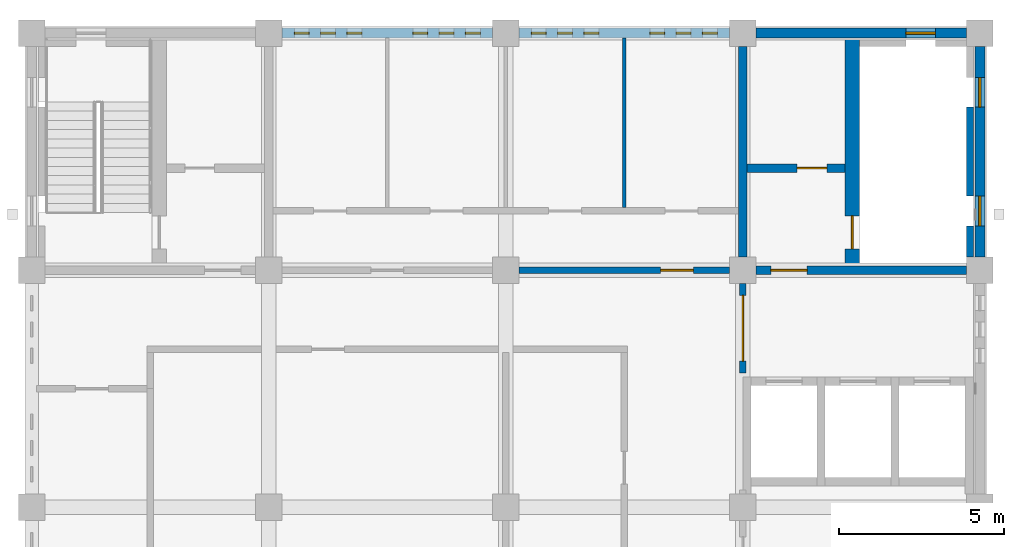
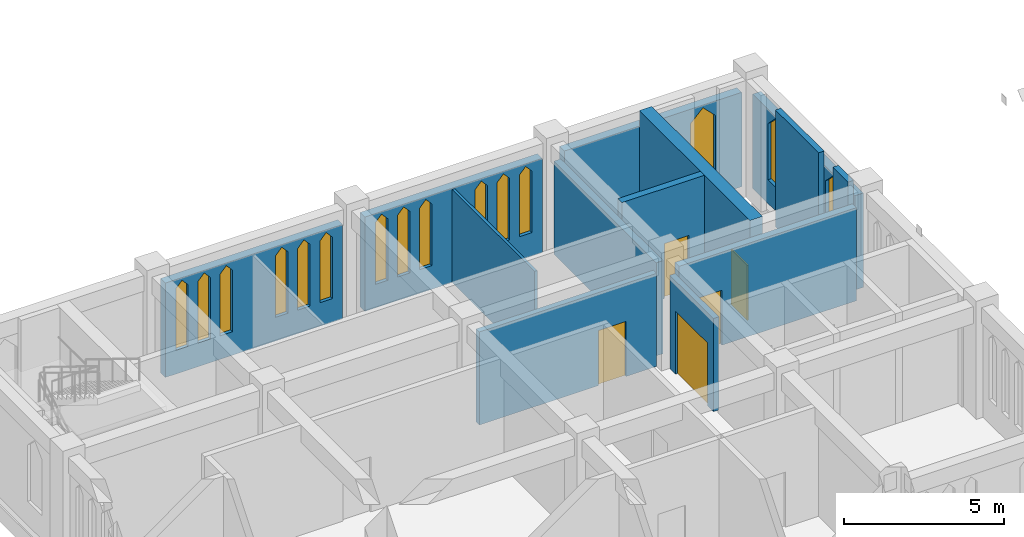
# One storey, part 9 of 13: 15 windows, 13 walls, 5 doors, 20 openings.
"""IFC4 building model written with IfcOpenShell, lengths in metres."""

from ifc_helpers import new_model, si_unit, direction, frame, frame_2d, origin, place, context, subcontext, project, spatial, polyline, rectangle, outline, extrude, material, layer, layer_set, type_object, element, fill, save


model = new_model("IFC4")

# Units and contexts
model_context = context("Model", 3, precision=1e-05, world=origin(), true_north=direction((0.0, 1.0)))
body_context = subcontext(model_context, "Body", "Model", "MODEL_VIEW")
ifc_project = project(units=[si_unit("LENGTHUNIT", "METRE"), si_unit("AREAUNIT", "SQUARE_METRE"), si_unit("VOLUMEUNIT", "CUBIC_METRE"), si_unit("PLANEANGLEUNIT", "RADIAN"), si_unit("MASSUNIT", "GRAM", prefix="KILO")], contexts=[model_context])

# Site, building, storey
site_placement = place(None, origin())
site = spatial("IfcSite", under=ifc_project, at=site_placement, CompositionType="ELEMENT")
building_placement = place(site_placement, origin())
building = spatial("IfcBuilding", under=site, at=building_placement, Name="Silangan Lancet Faculty of Sciences", CompositionType="ELEMENT")
storey_placement = place(building_placement, frame((0.0, 0.0, 49.800048828125)))
storey = spatial("IfcBuildingStorey", under=building, at=storey_placement, Name="L10", CompositionType="ELEMENT", Elevation=49.800048828125)

# Wall, opening, window
ifc_material_1 = material(Name="Concrete C40/50 precast", Category="concrete")
ifc_layer_1 = layer(ifc_material_1, 0.300048828125)
ifc_layer_set_1 = layer_set([ifc_layer_1], Name="Concrete C40/50 precast")
wall_type_1 = type_object("IfcWallType", Name="EW2 Turret enclosure wall", PredefinedType="STANDARD", material=ifc_layer_set_1)
wall_1_placement = place(storey_placement, frame((28.39990234375, 57.60009765625, 0.0), z_axis=(0.0, 0.0, 1.0), x_axis=(-1.0, 0.0, 0.0)))
wall_1 = element("IfcWall", 1, at=wall_1_placement, inside=storey, type_object=wall_type_1, Name="EW-L10-N-NT-00", PredefinedType="STANDARD", context=body_context, shape_type="SweptSolid", body=[
    extrude(rectangle(XDim=6.39990234375, YDim=0.300048828125, at=frame_2d((3.199951171875, 0.0))), origin(), (0.0, 0.0, 1.0), 3.599853515625),
])
opening_1_placement = place(wall_1_placement, frame((0.949951171875, 0.0, 0.89990234375)))
opening_1 = element("IfcOpeningElement", 2, at=opening_1_placement, cuts=wall_1, Name="Opening W25", PredefinedType="OPENING", context=body_context, shape_type="SweptSolid", body=[
    extrude(outline(polyline([(0.0, 0.0), (0.89990234375, 0.0), (0.89990234375, 2.150146484375), (0.449951171875, 2.60009765625), (0.0, 2.150146484375), (0.0, 0.0)])), frame((0.0, 0.159912109375, 0.0), z_axis=(0.0, -1.0, 0.0), x_axis=(1.0, 0.0, 0.0)), (0.0, 0.0, 1.0), 0.320068359375),
])
ifc_material_2 = material(Name="Aluminium frame, laminated double glazing", Category="aluminium")
window_type_1 = type_object("IfcWindowType", Name="W25 Lancet window 900 x 2600", PartitioningType="SINGLE_PANEL", PredefinedType="WINDOW", material=ifc_material_2)
window_1_placement = place(opening_1_placement, origin())
window_1 = element("IfcWindow", 3, at=window_1_placement, inside=storey, type_object=window_type_1, Name="WIN-L10-N-NT-00a", OverallHeight=2.60009765625, OverallWidth=0.89990234375, PartitioningType="SINGLE_PANEL", PredefinedType="WINDOW", context=body_context, shape_type="SweptSolid", body=[
    extrude(outline(polyline([(0.0, 0.0), (0.89990234375, 0.0), (0.89990234375, 2.150146484375), (0.449951171875, 2.60009765625), (0.0, 2.150146484375), (0.0, 0.0)])), frame((0.0, 0.030029296875, 0.0), z_axis=(0.0, -1.0, 0.0), x_axis=(1.0, 0.0, 0.0)), (0.0, 0.0, 1.0), 0.06005859375),
])
fill(opening_1, window_1)

# Wall, openings, windows
wall_2_placement = place(storey_placement, frame((28.800048828125, 50.800048828125, 0.0), z_axis=(0.0, 0.0, 1.0), x_axis=(0.0, 1.0, 0.0)))
wall_2 = element("IfcWall", 4, at=wall_2_placement, inside=storey, type_object=wall_type_1, Name="EW-L10-E-NT-02", PredefinedType="STANDARD", context=body_context, shape_type="SweptSolid", body=[
    extrude(rectangle(XDim=6.39990234375, YDim=0.300048828125, at=frame_2d((3.199951171875, 0.0))), origin(), (0.0, 0.0, 1.0), 3.599853515625),
])
opening_2_placement = place(wall_2_placement, frame((0.949951171875, 0.0, 0.89990234375)))
opening_2 = element("IfcOpeningElement", 5, at=opening_2_placement, cuts=wall_2, Name="Opening W25", PredefinedType="OPENING", context=body_context, shape_type="SweptSolid", body=[
    extrude(outline(polyline([(0.0, 0.0), (0.89990234375, 0.0), (0.89990234375, 2.150146484375), (0.449951171875, 2.60009765625), (0.0, 2.150146484375), (0.0, 0.0)])), frame((0.0, 0.159912109375, 0.0), z_axis=(0.0, -1.0, 0.0), x_axis=(1.0, 0.0, 0.0)), (0.0, 0.0, 1.0), 0.320068359375),
])
opening_3_placement = place(wall_2_placement, frame((4.550048828125, 0.0, 0.89990234375)))
opening_3 = element("IfcOpeningElement", 6, at=opening_3_placement, cuts=wall_2, Name="Opening W25", PredefinedType="OPENING", context=body_context, shape_type="SweptSolid", body=[
    extrude(outline(polyline([(0.0, 0.0), (0.89990234375, 0.0), (0.89990234375, 2.150146484375), (0.449951171875, 2.60009765625), (0.0, 2.150146484375), (0.0, 0.0)])), frame((0.0, 0.159912109375, 0.0), z_axis=(0.0, -1.0, 0.0), x_axis=(1.0, 0.0, 0.0)), (0.0, 0.0, 1.0), 0.320068359375),
])
window_2_placement = place(opening_2_placement, origin())
window_2 = element("IfcWindow", 7, at=window_2_placement, inside=storey, type_object=window_type_1, Name="WIN-L10-E-NT-02a", OverallHeight=2.60009765625, OverallWidth=0.89990234375, PartitioningType="SINGLE_PANEL", PredefinedType="WINDOW", context=body_context, shape_type="SweptSolid", body=[
    extrude(outline(polyline([(0.0, 0.0), (0.89990234375, 0.0), (0.89990234375, 2.150146484375), (0.449951171875, 2.60009765625), (0.0, 2.150146484375), (0.0, 0.0)])), frame((0.0, 0.030029296875, 0.0), z_axis=(0.0, -1.0, 0.0), x_axis=(1.0, 0.0, 0.0)), (0.0, 0.0, 1.0), 0.06005859375),
])
fill(opening_2, window_2)
window_3_placement = place(opening_3_placement, origin())
window_3 = element("IfcWindow", 8, at=window_3_placement, inside=storey, type_object=window_type_1, Name="WIN-L10-E-NT-02b", OverallHeight=2.60009765625, OverallWidth=0.89990234375, PartitioningType="SINGLE_PANEL", PredefinedType="WINDOW", context=body_context, shape_type="SweptSolid", body=[
    extrude(outline(polyline([(0.0, 0.0), (0.89990234375, 0.0), (0.89990234375, 2.150146484375), (0.449951171875, 2.60009765625), (0.0, 2.150146484375), (0.0, 0.0)])), frame((0.0, 0.030029296875, 0.0), z_axis=(0.0, -1.0, 0.0), x_axis=(1.0, 0.0, 0.0)), (0.0, 0.0, 1.0), 0.06005859375),
])
fill(opening_3, window_3)

ifc_material_3 = material(Name="Concrete C40/50", Category="concrete")
ifc_layer_2 = layer(ifc_material_3, 0.300048828125)
ifc_layer_set_2 = layer_set([ifc_layer_2], Name="Concrete C40/50")
wall_type_2 = type_object("IfcWallType", Name="EW7 Rendered attic wall", PredefinedType="STANDARD", material=ifc_layer_set_2)
wall_3_placement = place(storey_placement, frame((21.199951171875, 57.60009765625, 0.0), z_axis=(0.0, 0.0, 1.0), x_axis=(-1.0, 0.0, 0.0)))
wall_3 = element("IfcWall", 9, at=wall_3_placement, inside=storey, type_object=wall_type_2, Name="EW-L10-N-NT-01", PredefinedType="STANDARD", context=body_context, shape_type="SweptSolid", body=[
    extrude(rectangle(XDim=6.39990234375, YDim=0.300048828125, at=frame_2d((3.199951171875, 0.0))), origin(), (0.0, 0.0, 1.0), 3.599853515625),
])
opening_4_placement = place(wall_3_placement, frame((0.375, 0.0, 0.89990234375)))
opening_4 = element("IfcOpeningElement", 10, at=opening_4_placement, cuts=wall_3, Name="Opening W24", PredefinedType="OPENING", context=body_context, shape_type="SweptSolid", body=[
    extrude(outline(polyline([(0.0, 0.0), (0.449951171875, 0.0), (0.449951171875, 2.35009765625), (0.22509765625, 2.60009765625), (0.0, 2.35009765625), (0.0, 0.0)])), frame((0.0, 0.159912109375, 0.0), z_axis=(0.0, -1.0, 0.0), x_axis=(1.0, 0.0, 0.0)), (0.0, 0.0, 1.0), 0.320068359375),
])
opening_5_placement = place(wall_3_placement, frame((1.175048828125, 0.0, 0.89990234375)))
opening_5 = element("IfcOpeningElement", 11, at=opening_5_placement, cuts=wall_3, Name="Opening W24", PredefinedType="OPENING", context=body_context, shape_type="SweptSolid", body=[
    extrude(outline(polyline([(0.0, 0.0), (0.449951171875, 0.0), (0.449951171875, 2.35009765625), (0.22509765625, 2.60009765625), (0.0, 2.35009765625), (0.0, 0.0)])), frame((0.0, 0.159912109375, 0.0), z_axis=(0.0, -1.0, 0.0), x_axis=(1.0, 0.0, 0.0)), (0.0, 0.0, 1.0), 0.320068359375),
])
opening_6_placement = place(wall_3_placement, frame((1.97509765625, 0.0, 0.89990234375)))
opening_6 = element("IfcOpeningElement", 12, at=opening_6_placement, cuts=wall_3, Name="Opening W24", PredefinedType="OPENING", context=body_context, shape_type="SweptSolid", body=[
    extrude(outline(polyline([(0.0, 0.0), (0.449951171875, 0.0), (0.449951171875, 2.35009765625), (0.22509765625, 2.60009765625), (0.0, 2.35009765625), (0.0, 0.0)])), frame((0.0, 0.159912109375, 0.0), z_axis=(0.0, -1.0, 0.0), x_axis=(1.0, 0.0, 0.0)), (0.0, 0.0, 1.0), 0.320068359375),
])
opening_7_placement = place(wall_3_placement, frame((3.97509765625, 0.0, 0.89990234375)))
opening_7 = element("IfcOpeningElement", 13, at=opening_7_placement, cuts=wall_3, Name="Opening W24", PredefinedType="OPENING", context=body_context, shape_type="SweptSolid", body=[
    extrude(outline(polyline([(0.0, 0.0), (0.449951171875, 0.0), (0.449951171875, 2.35009765625), (0.22509765625, 2.60009765625), (0.0, 2.35009765625), (0.0, 0.0)])), frame((0.0, 0.159912109375, 0.0), z_axis=(0.0, -1.0, 0.0), x_axis=(1.0, 0.0, 0.0)), (0.0, 0.0, 1.0), 0.320068359375),
])
opening_8_placement = place(wall_3_placement, frame((4.77490234375, 0.0, 0.89990234375)))
opening_8 = element("IfcOpeningElement", 14, at=opening_8_placement, cuts=wall_3, Name="Opening W24", PredefinedType="OPENING", context=body_context, shape_type="SweptSolid", body=[
    extrude(outline(polyline([(0.0, 0.0), (0.449951171875, 0.0), (0.449951171875, 2.35009765625), (0.22509765625, 2.60009765625), (0.0, 2.35009765625), (0.0, 0.0)])), frame((0.0, 0.159912109375, 0.0), z_axis=(0.0, -1.0, 0.0), x_axis=(1.0, 0.0, 0.0)), (0.0, 0.0, 1.0), 0.320068359375),
])
opening_9_placement = place(wall_3_placement, frame((5.574951171875, 0.0, 0.89990234375)))
opening_9 = element("IfcOpeningElement", 15, at=opening_9_placement, cuts=wall_3, Name="Opening W24", PredefinedType="OPENING", context=body_context, shape_type="SweptSolid", body=[
    extrude(outline(polyline([(0.0, 0.0), (0.449951171875, 0.0), (0.449951171875, 2.35009765625), (0.22509765625, 2.60009765625), (0.0, 2.35009765625), (0.0, 0.0)])), frame((0.0, 0.159912109375, 0.0), z_axis=(0.0, -1.0, 0.0), x_axis=(1.0, 0.0, 0.0)), (0.0, 0.0, 1.0), 0.320068359375),
])
ifc_material_4 = material(Name="Aluminium frame, laminated double glazing", Category="aluminium")
window_type_2 = type_object("IfcWindowType", Name="W24 Lancet window 450 x 2600", PartitioningType="SINGLE_PANEL", PredefinedType="WINDOW", material=ifc_material_4)
window_4_placement = place(opening_4_placement, origin())
window_4 = element("IfcWindow", 16, at=window_4_placement, inside=storey, type_object=window_type_2, Name="WIN-L10-N-NT-01a1", OverallHeight=2.60009765625, OverallWidth=0.449951171875, PartitioningType="SINGLE_PANEL", PredefinedType="WINDOW", context=body_context, shape_type="SweptSolid", body=[
    extrude(outline(polyline([(0.0, 0.0), (0.449951171875, 0.0), (0.449951171875, 2.35009765625), (0.22509765625, 2.60009765625), (0.0, 2.35009765625), (0.0, 0.0)])), frame((0.0, 0.030029296875, 0.0), z_axis=(0.0, -1.0, 0.0), x_axis=(1.0, 0.0, 0.0)), (0.0, 0.0, 1.0), 0.06005859375),
])
fill(opening_4, window_4)
window_5_placement = place(opening_5_placement, origin())
window_5 = element("IfcWindow", 17, at=window_5_placement, inside=storey, type_object=window_type_2, Name="WIN-L10-N-NT-01a2", OverallHeight=2.60009765625, OverallWidth=0.449951171875, PartitioningType="SINGLE_PANEL", PredefinedType="WINDOW", context=body_context, shape_type="SweptSolid", body=[
    extrude(outline(polyline([(0.0, 0.0), (0.449951171875, 0.0), (0.449951171875, 2.35009765625), (0.22509765625, 2.60009765625), (0.0, 2.35009765625), (0.0, 0.0)])), frame((0.0, 0.030029296875, 0.0), z_axis=(0.0, -1.0, 0.0), x_axis=(1.0, 0.0, 0.0)), (0.0, 0.0, 1.0), 0.06005859375),
])
fill(opening_5, window_5)
window_6_placement = place(opening_6_placement, origin())
window_6 = element("IfcWindow", 18, at=window_6_placement, inside=storey, type_object=window_type_2, Name="WIN-L10-N-NT-01a3", OverallHeight=2.60009765625, OverallWidth=0.449951171875, PartitioningType="SINGLE_PANEL", PredefinedType="WINDOW", context=body_context, shape_type="SweptSolid", body=[
    extrude(outline(polyline([(0.0, 0.0), (0.449951171875, 0.0), (0.449951171875, 2.35009765625), (0.22509765625, 2.60009765625), (0.0, 2.35009765625), (0.0, 0.0)])), frame((0.0, 0.030029296875, 0.0), z_axis=(0.0, -1.0, 0.0), x_axis=(1.0, 0.0, 0.0)), (0.0, 0.0, 1.0), 0.06005859375),
])
fill(opening_6, window_6)
window_7_placement = place(opening_7_placement, origin())
window_7 = element("IfcWindow", 19, at=window_7_placement, inside=storey, type_object=window_type_2, Name="WIN-L10-N-NT-01b1", OverallHeight=2.60009765625, OverallWidth=0.449951171875, PartitioningType="SINGLE_PANEL", PredefinedType="WINDOW", context=body_context, shape_type="SweptSolid", body=[
    extrude(outline(polyline([(0.0, 0.0), (0.449951171875, 0.0), (0.449951171875, 2.35009765625), (0.22509765625, 2.60009765625), (0.0, 2.35009765625), (0.0, 0.0)])), frame((0.0, 0.030029296875, 0.0), z_axis=(0.0, -1.0, 0.0), x_axis=(1.0, 0.0, 0.0)), (0.0, 0.0, 1.0), 0.06005859375),
])
fill(opening_7, window_7)
window_8_placement = place(opening_8_placement, origin())
window_8 = element("IfcWindow", 20, at=window_8_placement, inside=storey, type_object=window_type_2, Name="WIN-L10-N-NT-01b2", OverallHeight=2.60009765625, OverallWidth=0.449951171875, PartitioningType="SINGLE_PANEL", PredefinedType="WINDOW", context=body_context, shape_type="SweptSolid", body=[
    extrude(outline(polyline([(0.0, 0.0), (0.449951171875, 0.0), (0.449951171875, 2.35009765625), (0.22509765625, 2.60009765625), (0.0, 2.35009765625), (0.0, 0.0)])), frame((0.0, 0.030029296875, 0.0), z_axis=(0.0, -1.0, 0.0), x_axis=(1.0, 0.0, 0.0)), (0.0, 0.0, 1.0), 0.06005859375),
])
fill(opening_8, window_8)
window_9_placement = place(opening_9_placement, origin())
window_9 = element("IfcWindow", 21, at=window_9_placement, inside=storey, type_object=window_type_2, Name="WIN-L10-N-NT-01b3", OverallHeight=2.60009765625, OverallWidth=0.449951171875, PartitioningType="SINGLE_PANEL", PredefinedType="WINDOW", context=body_context, shape_type="SweptSolid", body=[
    extrude(outline(polyline([(0.0, 0.0), (0.449951171875, 0.0), (0.449951171875, 2.35009765625), (0.22509765625, 2.60009765625), (0.0, 2.35009765625), (0.0, 0.0)])), frame((0.0, 0.030029296875, 0.0), z_axis=(0.0, -1.0, 0.0), x_axis=(1.0, 0.0, 0.0)), (0.0, 0.0, 1.0), 0.06005859375),
])
fill(opening_9, window_9)

wall_4_placement = place(storey_placement, frame((14.0, 57.60009765625, 0.0), z_axis=(0.0, 0.0, 1.0), x_axis=(-1.0, 0.0, 0.0)))
wall_4 = element("IfcWall", 22, at=wall_4_placement, inside=storey, type_object=wall_type_2, Name="EW-L10-N-NT-02", PredefinedType="STANDARD", context=body_context, shape_type="SweptSolid", body=[
    extrude(rectangle(XDim=6.39990234375, YDim=0.300048828125, at=frame_2d((3.199951171875, 0.0))), origin(), (0.0, 0.0, 1.0), 3.599853515625),
])
opening_10_placement = place(wall_4_placement, frame((0.375, 0.0, 0.89990234375)))
opening_10 = element("IfcOpeningElement", 23, at=opening_10_placement, cuts=wall_4, Name="Opening W24", PredefinedType="OPENING", context=body_context, shape_type="SweptSolid", body=[
    extrude(outline(polyline([(0.0, 0.0), (0.449951171875, 0.0), (0.449951171875, 2.35009765625), (0.22509765625, 2.60009765625), (0.0, 2.35009765625), (0.0, 0.0)])), frame((0.0, 0.159912109375, 0.0), z_axis=(0.0, -1.0, 0.0), x_axis=(1.0, 0.0, 0.0)), (0.0, 0.0, 1.0), 0.320068359375),
])
opening_11_placement = place(wall_4_placement, frame((1.175048828125, 0.0, 0.89990234375)))
opening_11 = element("IfcOpeningElement", 24, at=opening_11_placement, cuts=wall_4, Name="Opening W24", PredefinedType="OPENING", context=body_context, shape_type="SweptSolid", body=[
    extrude(outline(polyline([(0.0, 0.0), (0.449951171875, 0.0), (0.449951171875, 2.35009765625), (0.22509765625, 2.60009765625), (0.0, 2.35009765625), (0.0, 0.0)])), frame((0.0, 0.159912109375, 0.0), z_axis=(0.0, -1.0, 0.0), x_axis=(1.0, 0.0, 0.0)), (0.0, 0.0, 1.0), 0.320068359375),
])
opening_12_placement = place(wall_4_placement, frame((1.97509765625, 0.0, 0.89990234375)))
opening_12 = element("IfcOpeningElement", 25, at=opening_12_placement, cuts=wall_4, Name="Opening W24", PredefinedType="OPENING", context=body_context, shape_type="SweptSolid", body=[
    extrude(outline(polyline([(0.0, 0.0), (0.449951171875, 0.0), (0.449951171875, 2.35009765625), (0.22509765625, 2.60009765625), (0.0, 2.35009765625), (0.0, 0.0)])), frame((0.0, 0.159912109375, 0.0), z_axis=(0.0, -1.0, 0.0), x_axis=(1.0, 0.0, 0.0)), (0.0, 0.0, 1.0), 0.320068359375),
])
opening_13_placement = place(wall_4_placement, frame((3.97509765625, 0.0, 0.89990234375)))
opening_13 = element("IfcOpeningElement", 26, at=opening_13_placement, cuts=wall_4, Name="Opening W24", PredefinedType="OPENING", context=body_context, shape_type="SweptSolid", body=[
    extrude(outline(polyline([(0.0, 0.0), (0.449951171875, 0.0), (0.449951171875, 2.35009765625), (0.22509765625, 2.60009765625), (0.0, 2.35009765625), (0.0, 0.0)])), frame((0.0, 0.159912109375, 0.0), z_axis=(0.0, -1.0, 0.0), x_axis=(1.0, 0.0, 0.0)), (0.0, 0.0, 1.0), 0.320068359375),
])
opening_14_placement = place(wall_4_placement, frame((4.77490234375, 0.0, 0.89990234375)))
opening_14 = element("IfcOpeningElement", 27, at=opening_14_placement, cuts=wall_4, Name="Opening W24", PredefinedType="OPENING", context=body_context, shape_type="SweptSolid", body=[
    extrude(outline(polyline([(0.0, 0.0), (0.449951171875, 0.0), (0.449951171875, 2.35009765625), (0.22509765625, 2.60009765625), (0.0, 2.35009765625), (0.0, 0.0)])), frame((0.0, 0.159912109375, 0.0), z_axis=(0.0, -1.0, 0.0), x_axis=(1.0, 0.0, 0.0)), (0.0, 0.0, 1.0), 0.320068359375),
])
opening_15_placement = place(wall_4_placement, frame((5.574951171875, 0.0, 0.89990234375)))
opening_15 = element("IfcOpeningElement", 28, at=opening_15_placement, cuts=wall_4, Name="Opening W24", PredefinedType="OPENING", context=body_context, shape_type="SweptSolid", body=[
    extrude(outline(polyline([(0.0, 0.0), (0.449951171875, 0.0), (0.449951171875, 2.35009765625), (0.22509765625, 2.60009765625), (0.0, 2.35009765625), (0.0, 0.0)])), frame((0.0, 0.159912109375, 0.0), z_axis=(0.0, -1.0, 0.0), x_axis=(1.0, 0.0, 0.0)), (0.0, 0.0, 1.0), 0.320068359375),
])
window_10_placement = place(opening_10_placement, origin())
window_10 = element("IfcWindow", 29, at=window_10_placement, inside=storey, type_object=window_type_2, Name="WIN-L10-N-NT-02a1", OverallHeight=2.60009765625, OverallWidth=0.449951171875, PartitioningType="SINGLE_PANEL", PredefinedType="WINDOW", context=body_context, shape_type="SweptSolid", body=[
    extrude(outline(polyline([(0.0, 0.0), (0.449951171875, 0.0), (0.449951171875, 2.35009765625), (0.22509765625, 2.60009765625), (0.0, 2.35009765625), (0.0, 0.0)])), frame((0.0, 0.030029296875, 0.0), z_axis=(0.0, -1.0, 0.0), x_axis=(1.0, 0.0, 0.0)), (0.0, 0.0, 1.0), 0.06005859375),
])
fill(opening_10, window_10)
window_11_placement = place(opening_11_placement, origin())
window_11 = element("IfcWindow", 30, at=window_11_placement, inside=storey, type_object=window_type_2, Name="WIN-L10-N-NT-02a2", OverallHeight=2.60009765625, OverallWidth=0.449951171875, PartitioningType="SINGLE_PANEL", PredefinedType="WINDOW", context=body_context, shape_type="SweptSolid", body=[
    extrude(outline(polyline([(0.0, 0.0), (0.449951171875, 0.0), (0.449951171875, 2.35009765625), (0.22509765625, 2.60009765625), (0.0, 2.35009765625), (0.0, 0.0)])), frame((0.0, 0.030029296875, 0.0), z_axis=(0.0, -1.0, 0.0), x_axis=(1.0, 0.0, 0.0)), (0.0, 0.0, 1.0), 0.06005859375),
])
fill(opening_11, window_11)
window_12_placement = place(opening_12_placement, origin())
window_12 = element("IfcWindow", 31, at=window_12_placement, inside=storey, type_object=window_type_2, Name="WIN-L10-N-NT-02a3", OverallHeight=2.60009765625, OverallWidth=0.449951171875, PartitioningType="SINGLE_PANEL", PredefinedType="WINDOW", context=body_context, shape_type="SweptSolid", body=[
    extrude(outline(polyline([(0.0, 0.0), (0.449951171875, 0.0), (0.449951171875, 2.35009765625), (0.22509765625, 2.60009765625), (0.0, 2.35009765625), (0.0, 0.0)])), frame((0.0, 0.030029296875, 0.0), z_axis=(0.0, -1.0, 0.0), x_axis=(1.0, 0.0, 0.0)), (0.0, 0.0, 1.0), 0.06005859375),
])
fill(opening_12, window_12)
window_13_placement = place(opening_13_placement, origin())
window_13 = element("IfcWindow", 32, at=window_13_placement, inside=storey, type_object=window_type_2, Name="WIN-L10-N-NT-02b1", OverallHeight=2.60009765625, OverallWidth=0.449951171875, PartitioningType="SINGLE_PANEL", PredefinedType="WINDOW", context=body_context, shape_type="SweptSolid", body=[
    extrude(outline(polyline([(0.0, 0.0), (0.449951171875, 0.0), (0.449951171875, 2.35009765625), (0.22509765625, 2.60009765625), (0.0, 2.35009765625), (0.0, 0.0)])), frame((0.0, 0.030029296875, 0.0), z_axis=(0.0, -1.0, 0.0), x_axis=(1.0, 0.0, 0.0)), (0.0, 0.0, 1.0), 0.06005859375),
])
fill(opening_13, window_13)
window_14_placement = place(opening_14_placement, origin())
window_14 = element("IfcWindow", 33, at=window_14_placement, inside=storey, type_object=window_type_2, Name="WIN-L10-N-NT-02b2", OverallHeight=2.60009765625, OverallWidth=0.449951171875, PartitioningType="SINGLE_PANEL", PredefinedType="WINDOW", context=body_context, shape_type="SweptSolid", body=[
    extrude(outline(polyline([(0.0, 0.0), (0.449951171875, 0.0), (0.449951171875, 2.35009765625), (0.22509765625, 2.60009765625), (0.0, 2.35009765625), (0.0, 0.0)])), frame((0.0, 0.030029296875, 0.0), z_axis=(0.0, -1.0, 0.0), x_axis=(1.0, 0.0, 0.0)), (0.0, 0.0, 1.0), 0.06005859375),
])
fill(opening_14, window_14)
window_15_placement = place(opening_15_placement, origin())
window_15 = element("IfcWindow", 34, at=window_15_placement, inside=storey, type_object=window_type_2, Name="WIN-L10-N-NT-02b3", OverallHeight=2.60009765625, OverallWidth=0.449951171875, PartitioningType="SINGLE_PANEL", PredefinedType="WINDOW", context=body_context, shape_type="SweptSolid", body=[
    extrude(outline(polyline([(0.0, 0.0), (0.449951171875, 0.0), (0.449951171875, 2.35009765625), (0.22509765625, 2.60009765625), (0.0, 2.35009765625), (0.0, 0.0)])), frame((0.0, 0.030029296875, 0.0), z_axis=(0.0, -1.0, 0.0), x_axis=(1.0, 0.0, 0.0)), (0.0, 0.0, 1.0), 0.06005859375),
])
fill(opening_15, window_15)

# Wall, opening, door
ifc_material_5 = material(Name="Hollow block masonry fm 7 MPa", Category="masonry")
ifc_layer_3 = layer(ifc_material_5, 0.199951171875)
ifc_layer_set_3 = layer_set([ifc_layer_3], Name="Hollow block masonry fm 7 MPa")
wall_type_3 = type_object("IfcWallType", Name="Interior wall PW1 Corridor wall CHB 200", PredefinedType="PARTITIONING", material=ifc_layer_set_3)
wall_5_placement = place(storey_placement, frame((14.800048828125, 50.39990234375, 0.0), z_axis=(0.0, 0.0, 1.0), x_axis=(1.0, 0.0, 0.0)))
wall_5 = element("IfcWall", 35, at=wall_5_placement, inside=storey, type_object=wall_type_3, Name="Corridor wall CHB 200", PredefinedType="PARTITIONING", context=body_context, shape_type="SweptSolid", body=[
    extrude(rectangle(XDim=6.39990234375, YDim=0.199951171875, at=frame_2d((3.199951171875, 0.0))), origin(), (0.0, 0.0, 1.0), 3.550048828125),
])
opening_16_placement = place(wall_5_placement, frame((4.300048828125, 0.0, 0.0)))
opening_16 = element("IfcOpeningElement", 36, at=opening_16_placement, cuts=wall_5, Name="Opening L10-006", PredefinedType="OPENING", context=body_context, shape_type="SweptSolid", body=[
    extrude(rectangle(XDim=1.0, YDim=2.10009765625, at=frame_2d((0.5, 1.050048828125))), frame((0.0, 0.10986328125, 0.0), z_axis=(0.0, -1.0, 0.0), x_axis=(1.0, 0.0, 0.0)), (0.0, 0.0, 1.0), 0.219970703125),
])
ifc_material_6 = material(Name="Steel fire door set", Category="steel")
door_type_1 = type_object("IfcDoorType", Name="Door D1 Single leaf fire door 1000 x 2100", OperationType="SINGLE_SWING_LEFT", PredefinedType="DOOR", material=ifc_material_6)
door_1_placement = place(opening_16_placement, origin())
door_1 = element("IfcDoor", 37, at=door_1_placement, inside=storey, type_object=door_type_1, Name="Single leaf fire door 1000 x 2100", OperationType="SINGLE_SWING_RIGHT", OverallHeight=2.10009765625, OverallWidth=1.0, PredefinedType="DOOR", context=body_context, shape_type="SweptSolid", body=[
    extrude(rectangle(XDim=1.0, YDim=2.10009765625, at=frame_2d((0.5, 1.050048828125))), frame((0.0, 0.02490234375, 0.0), z_axis=(0.0, -1.0, 0.0), x_axis=(1.0, 0.0, 0.0)), (0.0, 0.0, 1.0), 0.050048828125),
])
fill(opening_16, door_1)

# Wall
ifc_material_7 = material(Name="Hollow block masonry fm 7 MPa", Category="masonry")
ifc_layer_4 = layer(ifc_material_7, 0.10009765625)
ifc_layer_set_4 = layer_set([ifc_layer_4], Name="Hollow block masonry fm 7 MPa")
wall_type_4 = type_object("IfcWallType", Name="Interior wall PW8 WC partition CHB 100", PredefinedType="PARTITIONING", material=ifc_layer_set_4)
wall_6_placement = place(storey_placement, frame((18.0, 52.300048828125, 0.0), z_axis=(0.0, 0.0, 1.0), x_axis=(0.0, 1.0, 0.0)))
element("IfcWall", 38, at=wall_6_placement, inside=storey, type_object=wall_type_4, Name="WC partition CHB 100", PredefinedType="PARTITIONING", context=body_context, shape_type="SweptSolid", body=[
    extrude(rectangle(XDim=5.14990234375, YDim=0.10009765625, at=frame_2d((2.574951171875, 0.0))), origin(), (0.0, 0.0, 1.0), 3.550048828125),
])

# Wall, opening, door
ifc_material_8 = material(Name="Hollow block masonry fm 7 MPa", Category="masonry")
ifc_layer_5 = layer(ifc_material_8, 0.199951171875)
ifc_layer_set_5 = layer_set([ifc_layer_5], Name="Hollow block masonry fm 7 MPa")
wall_type_5 = type_object("IfcWallType", Name="Interior wall PW9 Lift lobby wall CHB 200", PredefinedType="PARTITIONING", material=ifc_layer_set_5)
wall_7_placement = place(storey_placement, frame((21.60009765625, 47.27490234375, 0.0), z_axis=(0.0, 0.0, 1.0), x_axis=(0.0, 1.0, 0.0)))
wall_7 = element("IfcWall", 39, at=wall_7_placement, inside=storey, type_object=wall_type_5, Name="Lift lobby wall CHB 200", PredefinedType="PARTITIONING", context=body_context, shape_type="SweptSolid", body=[
    extrude(rectangle(XDim=2.72509765625, YDim=0.199951171875, at=frame_2d((1.362548828125, 0.0))), origin(), (0.0, 0.0, 1.0), 3.550048828125),
])
opening_17_placement = place(wall_7_placement, frame((0.362548828125, 0.0, 0.0)))
opening_17 = element("IfcOpeningElement", 40, at=opening_17_placement, cuts=wall_7, Name="Opening L10-004", PredefinedType="OPENING", context=body_context, shape_type="SweptSolid", body=[
    extrude(rectangle(XDim=2.0, YDim=2.39990234375, at=frame_2d((1.0, 1.199951171875))), frame((0.0, 0.10986328125, 0.0), z_axis=(0.0, -1.0, 0.0), x_axis=(1.0, 0.0, 0.0)), (0.0, 0.0, 1.0), 0.219970703125),
])
ifc_material_9 = material(Name="Steel fire door set", Category="steel")
door_type_2 = type_object("IfcDoorType", Name="Door D5 Lift lobby double fire door 2000 x 2400", OperationType="DOUBLE_DOOR_SINGLE_SWING", PredefinedType="DOOR", material=ifc_material_9)
door_2_placement = place(opening_17_placement, origin())
door_2 = element("IfcDoor", 41, at=door_2_placement, inside=storey, type_object=door_type_2, Name="Lift lobby double fire door 2000 x 2400", OperationType="DOUBLE_DOOR_SINGLE_SWING", OverallHeight=2.39990234375, OverallWidth=2.0, PredefinedType="DOOR", context=body_context, shape_type="SweptSolid", body=[
    extrude(rectangle(XDim=2.0, YDim=2.39990234375, at=frame_2d((1.0, 1.199951171875))), frame((0.0, 0.02490234375, 0.0), z_axis=(0.0, -1.0, 0.0), x_axis=(1.0, 0.0, 0.0)), (0.0, 0.0, 1.0), 0.050048828125),
])
fill(opening_17, door_2)

ifc_material_10 = material(Name="Concrete C40/50", Category="concrete")
ifc_layer_6 = layer(ifc_material_10, 0.449951171875)
ifc_layer_set_6 = layer_set([ifc_layer_6], Name="Concrete C40/50")
wall_type_6 = type_object("IfcWallType", Name="TURRET CORE WALL RC 450", PredefinedType="SHEAR", material=ifc_layer_set_6)
wall_8_placement = place(storey_placement, frame((24.925048828125, 50.52490234375, 0.0), z_axis=(0.0, 0.0, 1.0), x_axis=(0.0, 1.0, 0.0)))
wall_8 = element("IfcWall", 42, at=wall_8_placement, inside=storey, type_object=wall_type_6, Name="WALL-L10-NT-B-WELL", PredefinedType="SHEAR", context=body_context, shape_type="SweptSolid", body=[
    extrude(rectangle(XDim=6.925048828125, YDim=0.449951171875, at=frame_2d((3.46240234375, 0.0))), origin(), (0.0, 0.0, 1.0), 4.199951171875),
])
opening_18_placement = place(wall_8_placement, frame((0.52490234375, 0.0, 0.0)))
opening_18 = element("IfcOpeningElement", 43, at=opening_18_placement, cuts=wall_8, Name="Opening L10-704", PredefinedType="OPENING", context=body_context, shape_type="SweptSolid", body=[
    extrude(rectangle(XDim=1.0, YDim=2.10009765625, at=frame_2d((0.5, 1.050048828125))), frame((0.0, 0.23486328125, 0.0), z_axis=(0.0, -1.0, 0.0), x_axis=(1.0, 0.0, 0.0)), (0.0, 0.0, 1.0), 0.469970703125),
])
ifc_material_11 = material(Name="Steel fire door set", Category="steel")
door_type_3 = type_object("IfcDoorType", Name="D71 Stair enclosure door 1000x2100", OperationType="SINGLE_SWING_LEFT", PredefinedType="DOOR", material=ifc_material_11)
door_3_placement = place(opening_18_placement, frame((1.0, 0.0, 0.0), z_axis=(0.0, 0.0, 1.0), x_axis=(-1.0, 0.0, 0.0)))
door_3 = element("IfcDoor", 44, at=door_3_placement, inside=storey, type_object=door_type_3, Name="Stair enclosure door NT-B L10", OperationType="SINGLE_SWING_RIGHT", OverallHeight=2.10009765625, OverallWidth=1.0, PredefinedType="DOOR", context=body_context, shape_type="SweptSolid", body=[
    extrude(rectangle(XDim=1.0, YDim=2.10009765625, at=frame_2d((0.5, 1.050048828125))), frame((0.0, 0.025146484375, 0.0), z_axis=(0.0, -1.0, 0.0), x_axis=(1.0, 0.0, 0.0)), (0.0, 0.0, 1.0), 0.050048828125),
])
fill(opening_18, door_3)

# Walls
ifc_material_12 = material(Name="Concrete C40/50", Category="concrete")
ifc_layer_7 = layer(ifc_material_12, 0.199951171875)
ifc_layer_set_7 = layer_set([ifc_layer_7], Name="Concrete C40/50")
wall_type_7 = type_object("IfcWallType", Name="TURRET LINING WALL RC 200", PredefinedType="SHEAR", material=ifc_layer_set_7)
wall_9_placement = place(storey_placement, frame((28.5, 50.800048828125, -0.25), z_axis=(0.0, 0.0, 1.0), x_axis=(0.0, 1.0, 0.0)))
element("IfcWall", 45, at=wall_9_placement, inside=storey, type_object=wall_type_7, Name="WALL-L10-NT-B-WL", PredefinedType="SHEAR", context=body_context, shape_type="SweptSolid", body=[
    extrude(rectangle(XDim=0.949951171875, YDim=0.199951171875, at=frame_2d((0.47509765625, 0.0))), origin(), (0.0, 0.0, 1.0), 4.449951171875),
])
wall_10_placement = place(storey_placement, frame((28.5, 52.64990234375, -0.25), z_axis=(0.0, 0.0, 1.0), x_axis=(0.0, 1.0, 0.0)))
element("IfcWall", 46, at=wall_10_placement, inside=storey, type_object=wall_type_7, Name="WALL-L10-NT-B-WL-2", PredefinedType="SHEAR", context=body_context, shape_type="SweptSolid", body=[
    extrude(rectangle(XDim=2.7001953125, YDim=0.199951171875, at=frame_2d((1.35009765625, 0.0))), origin(), (0.0, 0.0, 1.0), 4.449951171875),
])

# Wall, opening, door
ifc_material_13 = material(Name="Concrete C40/50", Category="concrete")
ifc_layer_8 = layer(ifc_material_13, 0.25)
ifc_layer_set_8 = layer_set([ifc_layer_8], Name="Concrete C40/50")
wall_type_8 = type_object("IfcWallType", Name="TURRET WALL RC 250", PredefinedType="SHEAR", material=ifc_layer_set_8)
wall_11_placement = place(storey_placement, frame((22.0, 50.39990234375, 0.0), z_axis=(0.0, 0.0, 1.0), x_axis=(1.0, 0.0, 0.0)))
wall_11 = element("IfcWall", 47, at=wall_11_placement, inside=storey, type_object=wall_type_8, Name="WALL-L10-NT-B-V", PredefinedType="SHEAR", context=body_context, shape_type="SweptSolid", body=[
    extrude(rectangle(XDim=6.39990234375, YDim=0.25, at=frame_2d((3.199951171875, 0.0))), origin(), (0.0, 0.0, 1.0), 3.550048828125),
])
opening_19_placement = place(wall_11_placement, frame((0.449951171875, 0.0, 0.0)))
opening_19 = element("IfcOpeningElement", 48, at=opening_19_placement, cuts=wall_11, Name="Opening L10-705", PredefinedType="OPENING", context=body_context, shape_type="SweptSolid", body=[
    extrude(rectangle(XDim=1.10009765625, YDim=2.10009765625, at=frame_2d((0.550048828125, 1.050048828125))), frame((0.0, 0.135009765625, 0.0), z_axis=(0.0, -1.0, 0.0), x_axis=(1.0, 0.0, 0.0)), (0.0, 0.0, 1.0), 0.27001953125),
])
ifc_material_14 = material(Name="Steel fire door set", Category="steel")
door_type_4 = type_object("IfcDoorType", Name="D70 Stair vestibule door 1100x2100", OperationType="SINGLE_SWING_LEFT", PredefinedType="DOOR", material=ifc_material_14)
door_4_placement = place(opening_19_placement, origin())
door_4 = element("IfcDoor", 49, at=door_4_placement, inside=storey, type_object=door_type_4, Name="Stair vestibule door NT-B L10", OperationType="SINGLE_SWING_LEFT", OverallHeight=2.10009765625, OverallWidth=1.10009765625, PredefinedType="DOOR", context=body_context, shape_type="SweptSolid", body=[
    extrude(rectangle(XDim=1.10009765625, YDim=2.10009765625, at=frame_2d((0.550048828125, 1.050048828125))), frame((0.0, 0.02490234375, 0.0), z_axis=(0.0, -1.0, 0.0), x_axis=(1.0, 0.0, 0.0)), (0.0, 0.0, 1.0), 0.050048828125),
])
fill(opening_19, door_4)

# Wall
wall_12_placement = place(storey_placement, frame((21.60009765625, 50.800048828125, 0.0), z_axis=(0.0, 0.0, 1.0), x_axis=(0.0, 1.0, 0.0)))
element("IfcWall", 50, at=wall_12_placement, inside=storey, type_object=wall_type_8, Name="WALL-L10-NT-B-O", PredefinedType="SHEAR", context=body_context, shape_type="SweptSolid", body=[
    extrude(rectangle(XDim=6.39990234375, YDim=0.25, at=frame_2d((3.199951171875, 0.0))), origin(), (0.0, 0.0, 1.0), 3.550048828125),
])

# Wall, opening, door
wall_13_placement = place(storey_placement, frame((21.72509765625, 53.5, 0.0), z_axis=(0.0, 0.0, 1.0), x_axis=(1.0, 0.0, 0.0)))
wall_13 = element("IfcWall", 51, at=wall_13_placement, inside=storey, type_object=wall_type_8, Name="WALL-L10-NT-B-RISER", PredefinedType="SHEAR", context=body_context, shape_type="SweptSolid", body=[
    extrude(rectangle(XDim=2.974853515625, YDim=0.25, at=frame_2d((1.4873046875, 0.0))), origin(), (0.0, 0.0, 1.0), 4.199951171875),
])
opening_20_placement = place(wall_13_placement, frame((1.52490234375, 0.0, 0.0)))
opening_20 = element("IfcOpeningElement", 52, at=opening_20_placement, cuts=wall_13, Name="Opening L10-706", PredefinedType="OPENING", context=body_context, shape_type="SweptSolid", body=[
    extrude(rectangle(XDim=0.89990234375, YDim=2.10009765625, at=frame_2d((0.449951171875, 1.050048828125))), frame((0.0, 0.135009765625, 0.0), z_axis=(0.0, -1.0, 0.0), x_axis=(1.0, 0.0, 0.0)), (0.0, 0.0, 1.0), 0.27001953125),
])
ifc_material_15 = material(Name="Steel fire door set", Category="steel")
door_type_5 = type_object("IfcDoorType", Name="D72 Riser access door 900x2100", OperationType="SINGLE_SWING_LEFT", PredefinedType="DOOR", material=ifc_material_15)
door_5_placement = place(opening_20_placement, origin())
door_5 = element("IfcDoor", 53, at=door_5_placement, inside=storey, type_object=door_type_5, Name="Riser access door NT-B L10", OperationType="SINGLE_SWING_LEFT", OverallHeight=2.10009765625, OverallWidth=0.89990234375, PredefinedType="DOOR", context=body_context, shape_type="SweptSolid", body=[
    extrude(rectangle(XDim=0.89990234375, YDim=2.10009765625, at=frame_2d((0.449951171875, 1.050048828125))), frame((0.0, 0.02490234375, 0.0), z_axis=(0.0, -1.0, 0.0), x_axis=(1.0, 0.0, 0.0)), (0.0, 0.0, 1.0), 0.050048828125),
])
fill(opening_20, door_5)

save(model, "model.ifc")
